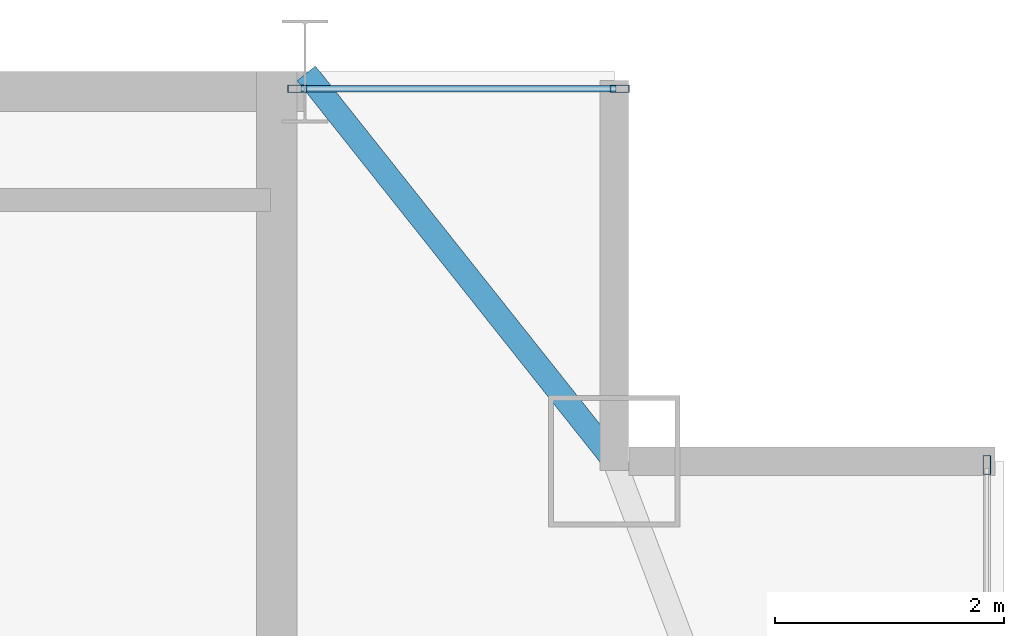
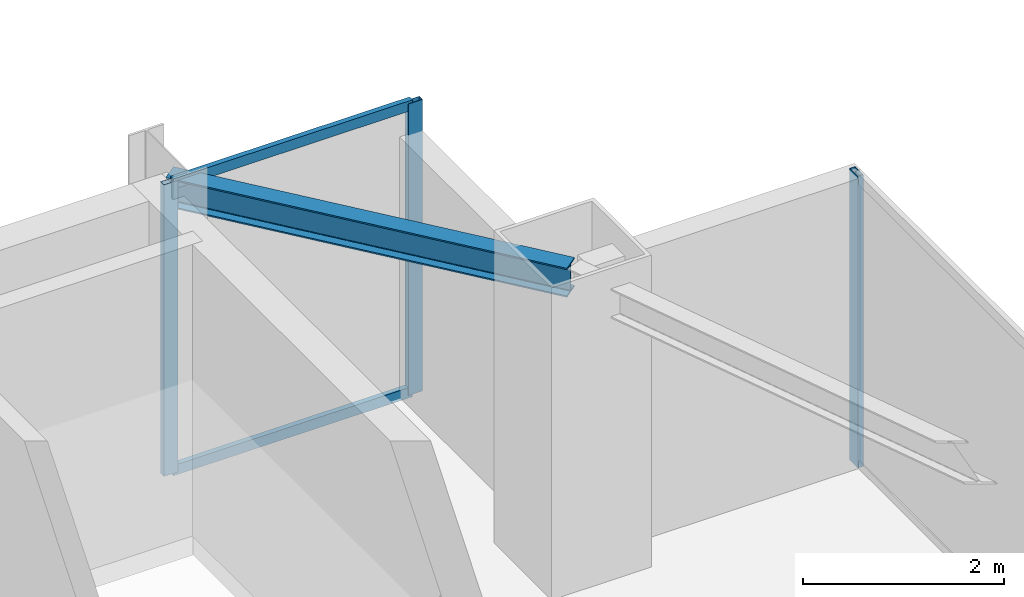
# One storey, part 23 of 31: 5 members, 1 beam, 2 elements without a shape of their own.
"""IFC4 building model written with IfcOpenShell, lengths in metres."""

import ifcopenshell
import ifcopenshell.guid

model = None  # the IFC model being written
_history = None  # IfcOwnerHistory: only IFC2X3 demands one
_inside = {}  # id of a spatial element -> (the spatial element, [elements in it])
_under = {}  # id of a project, library or spatial element -> (it, [spatial elements below it])
_declared = {}  # id of a project -> (the project, [libraries it declares])
_typed = {}  # id of a type object -> (the type object, [elements of that type])
_made_of = {}  # id of a material, layer set ... -> (it, [elements and type objects made of it])


def new_model(schema):
    """Start an empty IFC model of exactly this schema.

    Asked for "IFC4X3", IfcOpenShell would pick the latest addendum, in which some entities
    have other attributes; the version numbers below select the first issue.
    IFC2X3 requires an IfcOwnerHistory on every rooted entity: one is made here for all.
    """
    global model, _history
    if schema == "IFC4X3":
        model = ifcopenshell.file(schema_version=(4, 3, 0, 0))
    else:
        model = ifcopenshell.file(schema=schema)
    _inside.clear()
    _under.clear()
    _declared.clear()
    _typed.clear()
    _made_of.clear()
    _history = None
    if model.schema == "IFC2X3":
        org = make("IfcOrganization", Name="unknown")
        user = make(
            "IfcPersonAndOrganization",
            ThePerson=make("IfcPerson", FamilyName="unknown"),
            TheOrganization=org,
        )
        app = make(
            "IfcApplication",
            ApplicationDeveloper=org,
            Version="unknown",
            ApplicationFullName="unknown",
            ApplicationIdentifier="unknown",
        )
        _history = make(
            "IfcOwnerHistory",
            OwningUser=user,
            OwningApplication=app,
            ChangeAction="ADDED",
            CreationDate=0,
        )
    return model


def make(cls, **values):
    """One entity of the class cls with the attributes given. An attribute that is None is left unset."""
    return model.create_entity(
        cls, **{name: value for name, value in values.items() if value is not None}
    )


def rooted(cls, **values):
    """An entity with a GlobalId (a new one), such as an element, a storey or a relation."""
    return make(cls, GlobalId=ifcopenshell.guid.new(), OwnerHistory=_history, **values)


def si_unit(unit_type, name, prefix=None):
    """IfcSIUnit, for example si_unit("LENGTHUNIT", "METRE", prefix="MILLI")."""
    return make("IfcSIUnit", UnitType=unit_type, Prefix=prefix, Name=name)


def assignment(units):
    """IfcUnitAssignment: the units of a project."""
    return None if units is None else make("IfcUnitAssignment", Units=units)


def point(xyz):
    """IfcCartesianPoint."""
    return None if xyz is None else make("IfcCartesianPoint", Coordinates=xyz)


def direction(xyz):
    """IfcDirection."""
    return None if xyz is None else make("IfcDirection", DirectionRatios=xyz)


def frame(location, z_axis=None, x_axis=None):
    """IfcAxis2Placement3D, a coordinate frame: its origin and axes. An axis left out is left unset."""
    return make(
        "IfcAxis2Placement3D",
        Location=point(location),
        Axis=direction(z_axis),
        RefDirection=direction(x_axis),
    )


def frame_2d(location, x_axis=None):
    """IfcAxis2Placement2D, a coordinate frame in the plane: its origin and x axis."""
    return make(
        "IfcAxis2Placement2D", Location=point(location), RefDirection=direction(x_axis)
    )


def origin():
    """The frame at (0, 0, 0) with its axes left unset."""
    return frame((0.0, 0.0, 0.0))


def origin_2d():
    """The frame at (0, 0) in the plane with its x axis left unset."""
    return frame_2d((0.0, 0.0))


def place(relative_to, where):
    """IfcLocalPlacement: puts the frame where relative to a parent placement (None: the world)."""
    return make(
        "IfcLocalPlacement", PlacementRelTo=relative_to, RelativePlacement=where
    )


def context(
    kind, dimensions, precision=None, world=None, true_north=None, identifier=None
):
    """IfcGeometricRepresentationContext, for example the 3D "Model" context."""
    return make(
        "IfcGeometricRepresentationContext",
        ContextIdentifier=identifier,
        ContextType=kind,
        CoordinateSpaceDimension=dimensions,
        Precision=precision,
        WorldCoordinateSystem=world,
        TrueNorth=true_north,
    )


def subcontext(parent, identifier, kind, view, scale=None):
    """IfcGeometricRepresentationSubContext, for example "Body" below "Model"."""
    return make(
        "IfcGeometricRepresentationSubContext",
        ContextIdentifier=identifier,
        ContextType=kind,
        ParentContext=parent,
        TargetScale=scale,
        TargetView=view,
    )


def project(units=None, contexts=None):
    """IfcProject with its units and contexts."""
    return rooted(
        "IfcProject",
        Name="project",
        RepresentationContexts=contexts,
        UnitsInContext=assignment(units),
    )


def spatial(cls, under=None, at=None, **own):
    """A site, building, storey or space (cls), placed at a placement, below another one or the project."""
    s = rooted(cls, ObjectPlacement=at, **own)
    if under is not None:
        _under.setdefault(under.id(), (under, []))[1].append(s)
    return s


def profile(cls, at=None, kind="AREA", **sizes):
    """A parametric profile (cls). Its sizes go by their IFC names, for example OverallWidth=200.0."""
    return make(cls, ProfileType=kind, Position=at, **sizes)


def hollow_rectangle(**sizes):
    """IfcRectangleHollowProfileDef."""
    return profile("IfcRectangleHollowProfileDef", **sizes)


def i_section(**sizes):
    """IfcIShapeProfileDef."""
    return profile("IfcIShapeProfileDef", **sizes)


def extrude(swept, where, along, depth):
    """IfcExtrudedAreaSolid: the profile swept, set in the frame where, extruded along a direction by depth."""
    return make(
        "IfcExtrudedAreaSolid",
        SweptArea=swept,
        Position=where,
        ExtrudedDirection=direction(along),
        Depth=depth,
    )


def shape(context_of_items, identifier, shape_type, items):
    """IfcShapeRepresentation: the items that make up one representation, for example the "Body"."""
    return make(
        "IfcShapeRepresentation",
        ContextOfItems=context_of_items,
        RepresentationIdentifier=identifier,
        RepresentationType=shape_type,
        Items=items,
    )


def source(mapping_origin, context_of_items, identifier, shape_type, items):
    """IfcRepresentationMap: a shape defined once, which mapped items show again and again."""
    return make(
        "IfcRepresentationMap",
        MappingOrigin=mapping_origin,
        MappedRepresentation=shape(context_of_items, identifier, shape_type, items),
    )


def transform(
    local_origin,
    x_axis=None,
    y_axis=None,
    z_axis=None,
    scale=None,
    scale2=None,
    scale3=None,
    uniform=True,
):
    """IfcCartesianTransformationOperator3D, or its non-uniform kind. x_axis, y_axis, z_axis: its Axis1, 2, 3."""
    if uniform:
        return make(
            "IfcCartesianTransformationOperator3D",
            Axis1=direction(x_axis),
            Axis2=direction(y_axis),
            LocalOrigin=point(local_origin),
            Scale=scale,
            Axis3=direction(z_axis),
        )
    return make(
        "IfcCartesianTransformationOperator3DnonUniform",
        Axis1=direction(x_axis),
        Axis2=direction(y_axis),
        LocalOrigin=point(local_origin),
        Scale=scale,
        Axis3=direction(z_axis),
        Scale2=scale2,
        Scale3=scale3,
    )


def mapped(mapping_source, mapping_target):
    """IfcMappedItem: shows the shape of a source again, moved by a transform."""
    return make(
        "IfcMappedItem", MappingSource=mapping_source, MappingTarget=mapping_target
    )


def material(Name=None, Category=None):
    """IfcMaterial."""
    return make("IfcMaterial", Name=Name, Category=Category)


def layer(
    of_material, thickness, ventilated=None, Name=None, Category=None, Priority=None
):
    """IfcMaterialLayer: one layer of a wall or slab, of a material (None: an air gap)."""
    return make(
        "IfcMaterialLayer",
        Material=of_material,
        LayerThickness=thickness,
        IsVentilated=ventilated,
        Name=Name,
        Category=Category,
        Priority=Priority,
    )


def layer_set(layers, Name=None):
    """IfcMaterialLayerSet."""
    return make("IfcMaterialLayerSet", MaterialLayers=layers, LayerSetName=Name)


def material_profile(
    of_material, cross_section, Name=None, Category=None, Priority=None
):
    """IfcMaterialProfile: a cross section and its material."""
    return make(
        "IfcMaterialProfile",
        Name=Name,
        Material=of_material,
        Profile=cross_section,
        Priority=Priority,
        Category=Category,
    )


def profile_set(profiles, Name=None, composite=None):
    """IfcMaterialProfileSet."""
    return make(
        "IfcMaterialProfileSet",
        Name=Name,
        MaterialProfiles=profiles,
        CompositeProfile=composite,
    )


def made_of(thing, what):
    """Note that an element or type object is made of a material, layer set ...; save() writes the relation."""
    if what is not None:
        _made_of.setdefault(what.id(), (what, []))[1].append(thing)
    return thing


def type_object(cls, material=None, **own):
    """A type object (cls), such as IfcWallType, which elements share."""
    return made_of(rooted(cls, **own), material)


def type_shapes(of_type, sources):
    """Give a type object the sources (RepresentationMaps) that its elements show as mapped items."""
    of_type.RepresentationMaps = sources


def element(
    cls,
    number,
    at=None,
    inside=None,
    cuts=None,
    type_object=None,
    material=None,
    context=None,
    identifier="Body",
    shape_type=None,
    held_by="IfcProductDefinitionShape",
    body=None,
    shapes=None,
    **own,
):
    """One element of the class cls, such as IfcWall. Its Tag is "e" and its number.

    at: its placement. inside: the storey or other place that contains it. cuts: it is an
    opening in that element (IfcRelVoidsElement). A single representation is given by context,
    identifier, shape_type and body (its items); several are given by shapes. held_by: the class
    of the entity that holds the representations. save() writes the other relations.
    """
    e = rooted(cls, Tag="e%d" % number, ObjectPlacement=at, **own)
    if body is not None:
        shapes = [shape(context, identifier, shape_type, body)]
    if shapes is not None:
        e.Representation = make(held_by, Representations=shapes)
    if inside is not None:
        _inside.setdefault(inside.id(), (inside, []))[1].append(e)
    if cuts is not None:
        rooted(
            "IfcRelVoidsElement", RelatingBuildingElement=cuts, RelatedOpeningElement=e
        )
    if type_object is not None:
        _typed.setdefault(type_object.id(), (type_object, []))[1].append(e)
    return made_of(e, material)


def aggregate(whole, parts):
    """IfcRelAggregates: a whole, such as a stair, and the parts it consists of."""
    return rooted("IfcRelAggregates", RelatingObject=whole, RelatedObjects=parts)


def save(model, path):
    """Write the relations noted so far, then the file.

    IfcRelAggregates (storeys below a building ...), IfcRelContainedInSpatialStructure (elements
    in a storey), IfcRelDefinesByType, IfcRelAssociatesMaterial and IfcRelDeclares: one each for
    every whole, place, type object, material and project.
    """
    for whole, parts in _under.values():
        aggregate(whole, parts)
    for where, things in _inside.values():
        rooted(
            "IfcRelContainedInSpatialStructure",
            RelatedElements=things,
            RelatingStructure=where,
        )
    for kind, things in _typed.values():
        rooted("IfcRelDefinesByType", RelatedObjects=things, RelatingType=kind)
    for what, things in _made_of.values():
        rooted("IfcRelAssociatesMaterial", RelatedObjects=things, RelatingMaterial=what)
    for by, libraries in _declared.values():
        rooted("IfcRelDeclares", RelatingContext=by, RelatedDefinitions=libraries)
    model.write(path)


model = new_model("IFC4")

# Units and contexts
model_context = context("Model", 3, precision=1e-05, world=origin(), true_north=direction((0.0, 1.0)))
body_context = subcontext(model_context, "Body", "Model", "MODEL_VIEW")
ifc_project = project(units=[si_unit("LENGTHUNIT", "METRE"), si_unit("AREAUNIT", "SQUARE_METRE"), si_unit("VOLUMEUNIT", "CUBIC_METRE"), si_unit("PLANEANGLEUNIT", "RADIAN"), si_unit("MASSUNIT", "GRAM", prefix="KILO")], contexts=[model_context])

# Site, building, storey
site_placement = place(None, origin())
site = spatial("IfcSite", under=ifc_project, at=site_placement, CompositionType="ELEMENT")
building_placement = place(site_placement, origin())
building = spatial("IfcBuilding", under=site, at=building_placement, Name="Varnel Quay Broadcast Tower", CompositionType="ELEMENT")
storey_placement = place(building_placement, frame((0.0, 0.0, 239.39990234375)))
storey = spatial("IfcBuildingStorey", under=building, at=storey_placement, Name="L59", CompositionType="ELEMENT", Elevation=239.39990234375)

# Beam
ifc_material_1 = material(Name="Structural Steel CSA G40.21 350W", Category="steel")
ifc_material_profile_1 = material_profile(ifc_material_1, i_section(OverallWidth=0.205078125, OverallDepth=0.35400390625, WebThickness=0.009521484375, FlangeThickness=0.016845703125, FilletRadius=0.012939453125, at=origin_2d()), Name="W360X79")
ifc_profile_set_1 = profile_set([ifc_material_profile_1], Name="Structural Steel CSA G40.21 350W")
beam_type = type_object("IfcBeamType", Name="Beam_W360X79", PredefinedType="SPANDREL", material=ifc_profile_set_1)
shared_shape_1 = source(origin(), body_context, "Body", "SweptSolid", [
    extrude(i_section(OverallWidth=0.205078125, OverallDepth=0.35400390625, WebThickness=0.009521484375, FlangeThickness=0.016845703125, FilletRadius=0.012939453125, at=origin_2d()), origin(), (0.0, 0.0, 1.0), 4.301513671875),
])
type_shapes(beam_type, [shared_shape_1])
beam_placement = place(storey_placement, frame((52.412353515625, 46.7841796875, 3.373046875), z_axis=(0.621936399401, -0.783067758946, 0.0), x_axis=(0.783067758946, 0.621936399401, 0.0)))
element("IfcBeam", 1, at=beam_placement, inside=storey, type_object=beam_type, Name="L59 NE Tie Spandrel", PredefinedType="SPANDREL", context=body_context, shape_type="MappedRepresentation", body=[
    mapped(shared_shape_1, transform((0.0, 0.0, 0.0), x_axis=(1.0, 0.0, 0.0), y_axis=(0.0, 1.0, 0.0), z_axis=(0.0, 0.0, 1.0), scale=1.0)),
])

# Curtain wall, member
ifc_material_2 = material(Name="Anodised Bronze Aluminium 6063-T6", Category="aluminium")
ifc_layer = layer(ifc_material_2, 0.18994140625, Name="Anodised Bronze Aluminium 6063-T6")
ifc_layer_set = layer_set([ifc_layer], Name="Anodised Bronze Aluminium 6063-T6")
curtain_wall_type = type_object("IfcCurtainWallType", Name="CW_UpperTower", PredefinedType="NOTDEFINED", material=ifc_layer_set)
curtain_wall_1_placement = place(storey_placement, origin())
curtain_wall_1 = element("IfcCurtainWall", 2, at=curtain_wall_1_placement, inside=storey, type_object=curtain_wall_type, Name="L59 East Unitised Curtain Wall", PredefinedType="NOTDEFINED")
ifc_material_profile_2 = material_profile(ifc_material_2, hollow_rectangle(XDim=0.06494140625, YDim=0.1650390625, WallThickness=0.00341796875, at=origin_2d()), Name="ALU65X165X3.5")
ifc_profile_set_2 = profile_set([ifc_material_profile_2], Name="Anodised Bronze Aluminium 6063-T6")
member_type_1 = type_object("IfcMemberType", Name="Mull_CWS-03", PredefinedType="MULLION", material=ifc_profile_set_2)
shared_shape_2 = source(origin(), body_context, "Body", "SweptSolid", [
    extrude(hollow_rectangle(XDim=0.06494140625, YDim=0.1650390625, WallThickness=0.00341796875, at=origin_2d()), origin(), (0.0, 0.0, 1.0), 3.550048828125),
])
type_shapes(member_type_1, [shared_shape_2])
member_1_placement = place(storey_placement, frame((58.35009765625, 43.367431640625, 0.0), z_axis=(0.0, 0.0, 1.0), x_axis=(-1.0, 0.0, 0.0)))
member_1 = element("IfcMember", 3, at=member_1_placement, type_object=member_type_1, Name="CWS-03 mullion 3", PredefinedType="MULLION", context=body_context, shape_type="MappedRepresentation", body=[
    mapped(shared_shape_2, transform((0.0, 0.0, 0.0), x_axis=(1.0, 0.0, 0.0), y_axis=(0.0, 1.0, 0.0), z_axis=(0.0, 0.0, 1.0), scale=1.0)),
])
aggregate(curtain_wall_1, [member_1])

# Curtain wall, members
curtain_wall_2_placement = place(storey_placement, origin())
curtain_wall_2 = element("IfcCurtainWall", 4, at=curtain_wall_2_placement, inside=storey, type_object=curtain_wall_type, Name="L59 NE Wing Curtain Wall", PredefinedType="NOTDEFINED")
member_2_placement = place(storey_placement, frame((52.33251953125, 46.64990234375, 0.0), z_axis=(0.0, 0.0, 1.0), x_axis=(0.0, 1.0, 0.0)))
member_2 = element("IfcMember", 5, at=member_2_placement, type_object=member_type_1, Name="CWS-03 mullion 1", PredefinedType="MULLION", context=body_context, shape_type="MappedRepresentation", body=[
    mapped(shared_shape_2, transform((0.0, 0.0, 0.0), x_axis=(1.0, 0.0, 0.0), y_axis=(0.0, 1.0, 0.0), z_axis=(0.0, 0.0, 1.0), scale=1.0)),
])
member_3_placement = place(storey_placement, frame((55.1474609375, 46.64990234375, 0.0), z_axis=(0.0, 0.0, 1.0), x_axis=(0.0, 1.0, 0.0)))
member_3 = element("IfcMember", 6, at=member_3_placement, type_object=member_type_1, Name="CWS-03 mullion 2", PredefinedType="MULLION", context=body_context, shape_type="MappedRepresentation", body=[
    mapped(shared_shape_2, transform((0.0, 0.0, 0.0), x_axis=(1.0, 0.0, 0.0), y_axis=(0.0, 1.0, 0.0), z_axis=(0.0, 0.0, 1.0), scale=1.0)),
])
ifc_material_profile_3 = material_profile(ifc_material_2, hollow_rectangle(XDim=0.06005859375, YDim=0.125, WallThickness=0.0029296875, at=origin_2d()), Name="ALU60X125X3")
ifc_profile_set_3 = profile_set([ifc_material_profile_3], Name="Anodised Bronze Aluminium 6063-T6")
member_type_2 = type_object("IfcMemberType", Name="Tran_CWS-03", PredefinedType="USERDEFINED", material=ifc_profile_set_3)
shared_shape_3 = source(origin(), body_context, "Body", "SweptSolid", [
    extrude(hollow_rectangle(XDim=0.06005859375, YDim=0.125, WallThickness=0.0029296875, at=origin_2d()), origin(), (0.0, 0.0, 1.0), 2.75),
])
type_shapes(member_type_2, [shared_shape_3])
member_4_placement = place(storey_placement, frame((52.364990234375, 46.64990234375, 0.030029296875), z_axis=(1.0, 0.0, 0.0), x_axis=(0.0, 1.0, 0.0)))
member_4 = element("IfcMember", 7, at=member_4_placement, type_object=member_type_2, Name="CWS-03 transom 1.1", ObjectType="TRANSOM", PredefinedType="USERDEFINED", context=body_context, shape_type="MappedRepresentation", body=[
    mapped(shared_shape_3, transform((0.0, 0.0, 0.0), x_axis=(1.0, 0.0, 0.0), y_axis=(0.0, 1.0, 0.0), z_axis=(0.0, 0.0, 1.0), scale=1.0)),
])
member_5_placement = place(storey_placement, frame((52.364990234375, 46.64990234375, 3.52001953125), z_axis=(1.0, 0.0, 0.0), x_axis=(0.0, 1.0, 0.0)))
member_5 = element("IfcMember", 8, at=member_5_placement, type_object=member_type_2, Name="CWS-03 transom 1.2", ObjectType="TRANSOM", PredefinedType="USERDEFINED", context=body_context, shape_type="MappedRepresentation", body=[
    mapped(shared_shape_3, transform((0.0, 0.0, 0.0), x_axis=(1.0, 0.0, 0.0), y_axis=(0.0, 1.0, 0.0), z_axis=(0.0, 0.0, 1.0), scale=1.0)),
])
aggregate(curtain_wall_2, [member_2, member_3, member_4, member_5])

save(model, "model.ifc")
